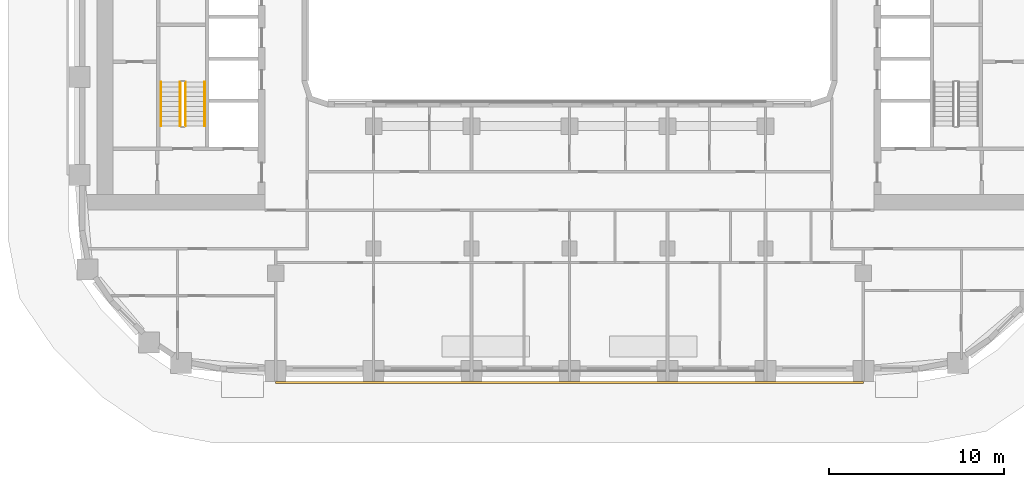
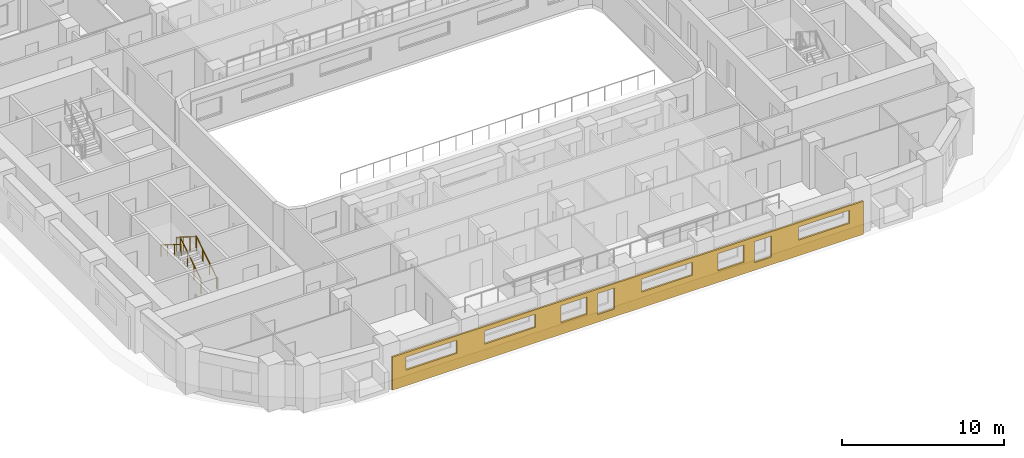
# One storey, part 13 of 18: 4 railings, 1 covering.
"""IFC4 building model written with IfcOpenShell, lengths in metres."""

from ifc_helpers import new_model, si_unit, direction, frame, origin, origin_2d, place, context, subcontext, project, spatial, polyline, circle, outline, extrude, material, layer, layer_set, type_object, element, save


model = new_model("IFC4")

# Units and contexts
model_context = context("Model", 3, precision=1e-05, world=origin(), true_north=direction((0.0, 1.0)))
body_context = subcontext(model_context, "Body", "Model", "MODEL_VIEW")
ifc_project = project(units=[si_unit("LENGTHUNIT", "METRE"), si_unit("AREAUNIT", "SQUARE_METRE"), si_unit("VOLUMEUNIT", "CUBIC_METRE"), si_unit("PLANEANGLEUNIT", "RADIAN"), si_unit("MASSUNIT", "GRAM", prefix="KILO")], contexts=[model_context])

# Site, building, storey
site_placement = place(None, origin())
site = spatial("IfcSite", under=ifc_project, at=site_placement, CompositionType="ELEMENT")
building_placement = place(site_placement, origin())
building = spatial("IfcBuilding", under=site, at=building_placement, Name="Kiln Ring Residences", CompositionType="ELEMENT")
storey_placement = place(building_placement, frame((0.0, 0.0, 121.800048828125)))
storey = spatial("IfcBuildingStorey", under=building, at=storey_placement, Name="L31", CompositionType="ELEMENT", Elevation=121.800048828125)

# Railings
ifc_material_1 = material(Name="Stainless steel", Category="steel")
railing_type_1 = type_object("IfcRailingType", Name="CORE-STAIR-GUARD", PredefinedType="GUARDRAIL", material=ifc_material_1)
railing_1_placement = place(storey_placement, frame((-21.949951171875, -8.39990234375, 0.175048828125)))
element("IfcRailing", 1, at=railing_1_placement, inside=storey, type_object=railing_type_1, Name="L31 W-STS stair guard 1", PredefinedType="GUARDRAIL", context=body_context, shape_type="SweptSolid", body=[
    extrude(circle(Radius=0.02392578125, at=origin_2d()), frame((0.0, 0.0, 1.076171875), z_axis=(0.0, 0.848007534815, 0.529984170421), x_axis=(-1.0, 0.0, 0.0)), (0.0, 0.0, 1.0), 2.9716796875),
    extrude(circle(Radius=0.02099609375, at=origin_2d()), origin(), (0.0, 0.0, 1.0), 1.052001953125),
    extrude(circle(Radius=0.02099609375, at=origin_2d()), frame((0.0, 0.840087890625, 0.52490234375)), (0.0, 0.0, 1.0), 1.052001953125),
    extrude(circle(Radius=0.02099609375, at=origin_2d()), frame((0.0, 1.679931640625, 1.050048828125)), (0.0, 0.0, 1.0), 1.052001953125),
    extrude(circle(Radius=0.02099609375, at=origin_2d()), frame((0.0, 2.52001953125, 1.574951171875)), (0.0, 0.0, 1.0), 1.052001953125),
])
railing_2_placement = place(storey_placement, frame((-22.25, -5.8798828125, 1.925048828125)))
element("IfcRailing", 2, at=railing_2_placement, inside=storey, type_object=railing_type_1, Name="L31 W-STS stair guard 3", PredefinedType="GUARDRAIL", context=body_context, shape_type="SweptSolid", body=[
    extrude(circle(Radius=0.02392578125, at=origin_2d()), frame((0.0, 0.0, 1.076171875), z_axis=(0.0, -0.848007534815, 0.529984170421), x_axis=(1.0, 0.0, 0.0)), (0.0, 0.0, 1.0), 2.9716796875),
    extrude(circle(Radius=0.02099609375, at=origin_2d()), origin(), (0.0, 0.0, 1.0), 1.052001953125),
    extrude(circle(Radius=0.02099609375, at=origin_2d()), frame((0.0, -0.840087890625, 0.52490234375)), (0.0, 0.0, 1.0), 1.052001953125),
    extrude(circle(Radius=0.02099609375, at=origin_2d()), frame((0.0, -1.679931640625, 1.050048828125)), (0.0, 0.0, 1.0), 1.052001953125),
    extrude(circle(Radius=0.02099609375, at=origin_2d()), frame((0.0, -2.52001953125, 1.574951171875)), (0.0, 0.0, 1.0), 1.052001953125),
])
ifc_material_2 = material(Name="Stainless steel", Category="steel")
railing_type_2 = type_object("IfcRailingType", Name="CORE-STAIR-HANDRAIL", PredefinedType="HANDRAIL", material=ifc_material_2)
railing_3_placement = place(storey_placement, frame((-20.85009765625, -8.39990234375, 0.175048828125)))
element("IfcRailing", 3, at=railing_3_placement, inside=storey, type_object=railing_type_2, Name="L31 W-STS stair handrail 1", PredefinedType="HANDRAIL", context=body_context, shape_type="SweptSolid", body=[
    extrude(circle(Radius=0.02392578125, at=origin_2d()), frame((0.0, 0.0, 0.8759765625), z_axis=(0.0, 0.848007534815, 0.529984170421), x_axis=(-1.0, 0.0, 0.0)), (0.0, 0.0, 1.0), 2.9716796875),
    extrude(circle(Radius=0.02099609375, at=origin_2d()), origin(), (0.0, 0.0, 1.0), 0.851806640625),
    extrude(circle(Radius=0.02099609375, at=origin_2d()), frame((0.0, 0.840087890625, 0.52490234375)), (0.0, 0.0, 1.0), 0.851806640625),
    extrude(circle(Radius=0.02099609375, at=origin_2d()), frame((0.0, 1.679931640625, 1.050048828125)), (0.0, 0.0, 1.0), 0.851806640625),
    extrude(circle(Radius=0.02099609375, at=origin_2d()), frame((0.0, 2.52001953125, 1.574951171875)), (0.0, 0.0, 1.0), 0.851806640625),
])
railing_4_placement = place(storey_placement, frame((-23.35009765625, -5.8798828125, 1.925048828125)))
element("IfcRailing", 4, at=railing_4_placement, inside=storey, type_object=railing_type_2, Name="L31 W-STS stair handrail 2", PredefinedType="HANDRAIL", context=body_context, shape_type="SweptSolid", body=[
    extrude(circle(Radius=0.02392578125, at=origin_2d()), frame((0.0, 0.0, 0.8759765625), z_axis=(0.0, -0.848007534815, 0.529984170421), x_axis=(1.0, 0.0, 0.0)), (0.0, 0.0, 1.0), 2.9716796875),
    extrude(circle(Radius=0.02099609375, at=origin_2d()), origin(), (0.0, 0.0, 1.0), 0.851806640625),
    extrude(circle(Radius=0.02099609375, at=origin_2d()), frame((0.0, -0.840087890625, 0.52490234375)), (0.0, 0.0, 1.0), 0.851806640625),
    extrude(circle(Radius=0.02099609375, at=origin_2d()), frame((0.0, -1.679931640625, 1.050048828125)), (0.0, 0.0, 1.0), 0.851806640625),
    extrude(circle(Radius=0.02099609375, at=origin_2d()), frame((0.0, -2.52001953125, 1.574951171875)), (0.0, 0.0, 1.0), 0.851806640625),
])

# Covering
ifc_material_3 = material(Name="Brick masonry, dark clay brick", Category="masonry")
ifc_layer = layer(ifc_material_3, 0.1201171875)
ifc_layer_set = layer_set([ifc_layer], Name="RAINSCREEN PANEL 120")
covering_type = type_object("IfcCoveringType", Name="RAINSCREEN PANEL 120", PredefinedType="CLADDING", material=ifc_layer_set)
covering_placement = place(storey_placement, frame((-16.800048828125, -23.06005859375, 0.0), z_axis=(0.0, 0.0, 1.0), x_axis=(1.0, 0.0, 0.0)))
element("IfcCovering", 5, at=covering_placement, inside=storey, type_object=covering_type, Name="RAINSCREEN L31", PredefinedType="CLADDING", context=body_context, shape_type="SweptSolid", body=[
    extrude(outline(polyline([(0.0, 0.0), (33.60009765625, 0.0), (33.60009765625, 2.5), (0.0, 2.5), (0.0, 0.0)]), holes=[polyline([(14.617431640625, 0.579833984375), (15.857421875, 0.579833984375), (15.857421875, 2.169921875), (14.617431640625, 2.169921875), (14.617431640625, 0.579833984375)]), polyline([(25.8173828125, 0.579833984375), (27.0576171875, 0.579833984375), (27.0576171875, 2.169921875), (25.8173828125, 2.169921875), (25.8173828125, 0.579833984375)]), polyline([(12.04248046875, 0.8798828125), (13.882568359375, 0.8798828125), (13.882568359375, 2.169921875), (12.04248046875, 2.169921875), (12.04248046875, 0.8798828125)]), polyline([(23.242431640625, 0.8798828125), (25.08251953125, 0.8798828125), (25.08251953125, 2.169921875), (23.242431640625, 2.169921875), (23.242431640625, 0.8798828125)]), polyline([(0.97998046875, 1.179931640625), (4.6201171875, 1.179931640625), (4.6201171875, 2.169921875), (0.97998046875, 2.169921875), (0.97998046875, 1.179931640625)]), polyline([(6.580078125, 1.179931640625), (10.219970703125, 1.179931640625), (10.219970703125, 2.169921875), (6.580078125, 2.169921875), (6.580078125, 1.179931640625)]), polyline([(17.780029296875, 1.179931640625), (21.419921875, 1.179931640625), (21.419921875, 2.169921875), (17.780029296875, 2.169921875), (17.780029296875, 1.179931640625)]), polyline([(28.97998046875, 1.179931640625), (32.6201171875, 1.179931640625), (32.6201171875, 2.169921875), (28.97998046875, 2.169921875), (28.97998046875, 1.179931640625)])]), frame((0.0, 0.06005859375, 0.0), z_axis=(0.0, -1.0, 0.0), x_axis=(1.0, 0.0, 0.0)), (0.0, 0.0, 1.0), 0.1201171875),
])

save(model, "model.ifc")
